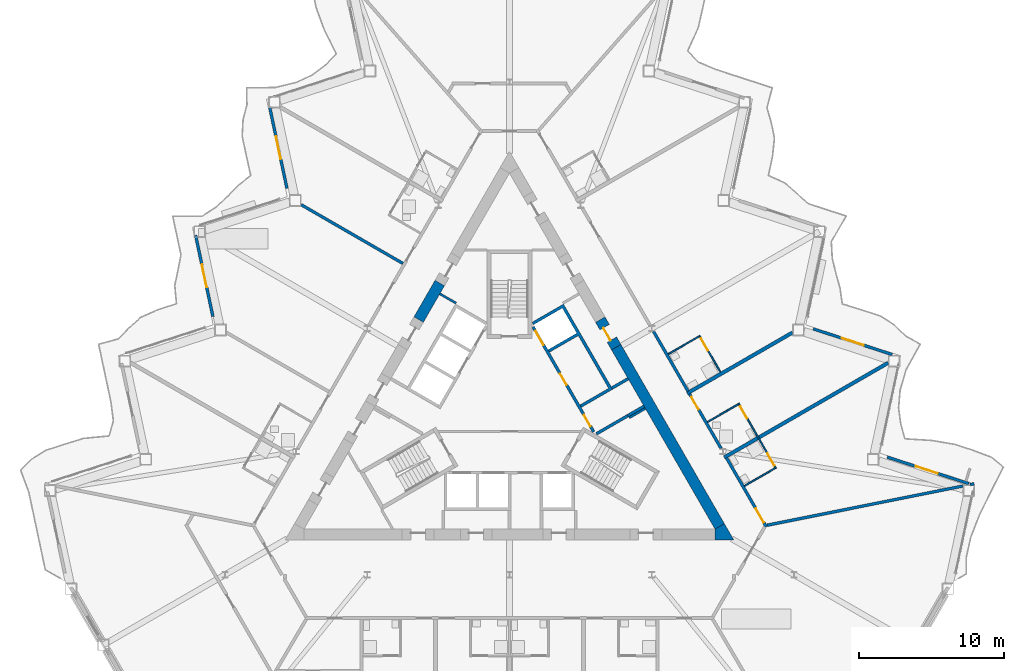
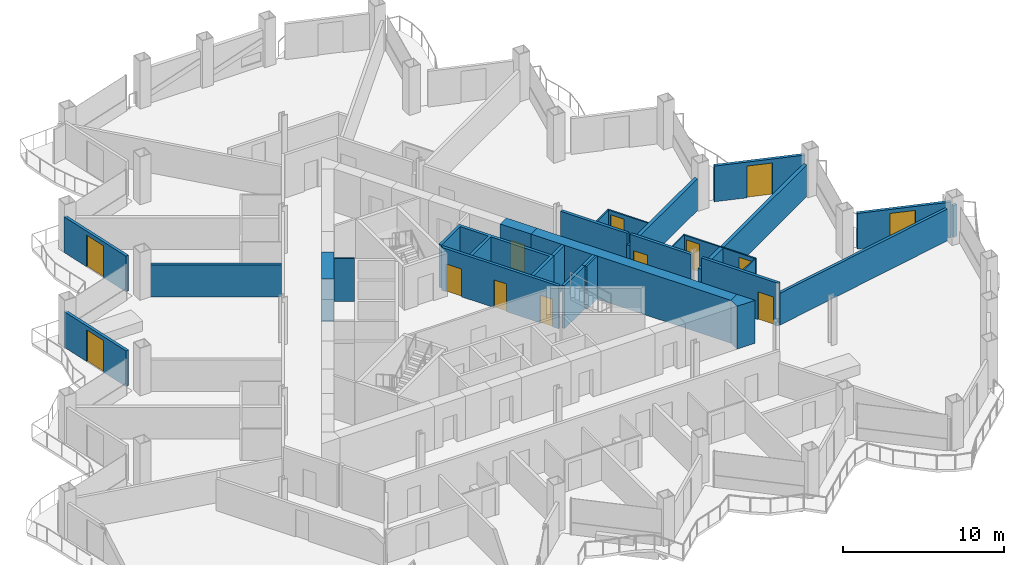
# One storey, part 13 of 23: 28 walls, 13 doors, 13 openings.
"""IFC4 building model written with IfcOpenShell, lengths in metres."""

from ifc_helpers import new_model, si_unit, direction, frame, frame_2d, origin, place, context, subcontext, project, spatial, polyline, rectangle, outline, extrude, material, layer, layer_set, type_object, element, fill, save


model = new_model("IFC4")

# Units and contexts
model_context = context("Model", 3, precision=1e-05, world=origin(), true_north=direction((0.0, 1.0)))
body_context = subcontext(model_context, "Body", "Model", "MODEL_VIEW")
ifc_project = project(units=[si_unit("LENGTHUNIT", "METRE"), si_unit("AREAUNIT", "SQUARE_METRE"), si_unit("VOLUMEUNIT", "CUBIC_METRE"), si_unit("PLANEANGLEUNIT", "RADIAN"), si_unit("MASSUNIT", "GRAM", prefix="KILO")], contexts=[model_context])

# Site, building, storey
site_placement = place(None, origin())
site = spatial("IfcSite", under=ifc_project, at=site_placement, CompositionType="ELEMENT")
building_placement = place(site_placement, origin())
building = spatial("IfcBuilding", under=site, at=building_placement, Name="Cormorant Prow Tower", CompositionType="ELEMENT")
storey_placement = place(building_placement, frame((0.0, 0.0, 169.199951171875)))
storey = spatial("IfcBuildingStorey", under=building, at=storey_placement, Name="L35", CompositionType="ELEMENT", Elevation=169.199951171875)

# Walls
ifc_material_1 = material(Name="Gypsum board partition")
ifc_layer_1 = layer(ifc_material_1, 0.14990234375)
ifc_layer_set_1 = layer_set([ifc_layer_1], Name="Gypsum board partition")
wall_type_1 = type_object("IfcWallType", Name="Core partition 150", PredefinedType="PARTITIONING", material=ifc_layer_set_1)
for number, where, z_axis, x_axis, name in (
    (1, (8.268310546875, -0.509033203125, 0.0), (0.0, 0.0, 1.0), (0.866003189247, 0.500038474733, 0.0), "Service room partition"),
    (2, (-3.693359375, 7.4150390625, 0.0), (0.0, 0.0, 1.0), (-0.866003189247, 0.500038474733, 0.0), "Service room partition"),
):
    element("IfcWall", number, at=place(storey_placement, frame(where, z_axis=z_axis, x_axis=x_axis)), inside=storey, type_object=wall_type_1, Name=name, PredefinedType="PARTITIONING", context=body_context, shape_type="SweptSolid", body=[
        extrude(rectangle(XDim=1.29296875, YDim=0.14990234375, at=frame_2d((0.646484375, 0.0))), origin(), (0.0, 0.0, 1.0), 3.25),
    ])
ifc_material_2 = material(Name="Concrete 8000 psi", Category="concrete")
ifc_layer_2 = layer(ifc_material_2, 0.75)
ifc_layer_set_2 = layer_set([ifc_layer_2], Name="Concrete 8000 psi")
wall_type_2 = type_object("IfcWallType", Name="Core shear wall 750", PredefinedType="SHEAR", material=ifc_layer_set_2)
wall_1_placement = place(storey_placement, frame((14.525634765625, -8.011474609375, 0.0), z_axis=(0.0, 0.0, 1.0), x_axis=(-0.499994855372, 0.866028374016, 0.0)))
element("IfcWall", 3, at=wall_1_placement, inside=storey, type_object=wall_type_2, Name="Core wall", PredefinedType="SHEAR", context=body_context, shape_type="SweptSolid", body=[
    extrude(rectangle(XDim=14.301025390625, YDim=0.75, at=frame_2d((7.150390625, 0.0))), origin(), (0.0, 0.0, 1.0), 3.25),
])
wall_2_placement = place(storey_placement, frame((-4.8173828125, 8.803955078125, 0.0), z_axis=(0.0, 0.0, 1.0), x_axis=(-0.500029273391, -0.866008502124, 0.0)))
element("IfcWall", 4, at=wall_2_placement, inside=storey, type_object=wall_type_2, Name="Core wall", PredefinedType="SHEAR", context=body_context, shape_type="SweptSolid", body=[
    extrude(rectangle(XDim=2.915771484375, YDim=0.75, at=frame_2d((1.4580078125, 0.0))), origin(), (0.0, 0.0, 1.0), 3.25),
])
wall_3_placement = place(storey_placement, origin())
element("IfcWall", 5, at=wall_3_placement, inside=storey, type_object=wall_type_2, Name="Core wall corner", PredefinedType="SHEAR", context=body_context, shape_type="SweptSolid", body=[
    extrude(outline(polyline([(14.200927734375, -8.948974609375), (14.200927734375, -8.198974609375), (14.8505859375, -7.823974609375), (15.5, -8.948974609375), (14.200927734375, -8.948974609375)])), origin(), (0.0, 0.0, 1.0), 3.25),
])

# Wall, opening, door
wall_4_placement = place(storey_placement, frame((7.375244140625, 4.37353515625, 0.0), z_axis=(0.0, 0.0, 1.0), x_axis=(-0.499946605688, 0.86605622881, 0.0)))
wall_4 = element("IfcWall", 6, at=wall_4_placement, inside=storey, type_object=wall_type_2, Name="Core wall door panel", PredefinedType="SHEAR", context=body_context, shape_type="SweptSolid", body=[
    extrude(rectangle(XDim=2.199951171875, YDim=0.75, at=frame_2d((1.10009765625, 0.0))), origin(), (0.0, 0.0, 1.0), 3.25),
])
opening_1_placement = place(wall_4_placement, frame((0.60009765625, 0.0, 0.0)))
opening_1 = element("IfcOpeningElement", 7, at=opening_1_placement, cuts=wall_4, Name="Opening L35-C19", PredefinedType="OPENING", context=body_context, shape_type="SweptSolid", body=[
    extrude(rectangle(XDim=1.0, YDim=2.10009765625, at=frame_2d((0.5, 1.050048828125))), frame((0.0, 0.385009765625, 0.0), z_axis=(0.0, -1.0, 0.0), x_axis=(1.0, 0.0, 0.0)), (0.0, 0.0, 1.0), 0.77001953125),
])
ifc_material_3 = material(Name="Painted steel", Category="steel")
door_type_1 = type_object("IfcDoorType", Name="Service door 1000x2100", OperationType="NOTDEFINED", PredefinedType="DOOR", material=ifc_material_3)
door_1_placement = place(opening_1_placement, origin())
door_1 = element("IfcDoor", 8, at=door_1_placement, inside=storey, type_object=door_type_1, Name="Core door, Telecom room", OperationType="SINGLE_SWING_LEFT", OverallHeight=2.10009765625, OverallWidth=1.0, PredefinedType="DOOR", context=body_context, shape_type="SweptSolid", body=[
    extrude(rectangle(XDim=1.0, YDim=2.10009765625, at=frame_2d((0.5, 1.050048828125))), frame((0.0, 0.1298828125, 0.0), z_axis=(0.0, -1.0, 0.0), x_axis=(1.0, 0.0, 0.0)), (0.0, 0.0, 1.0), 0.050048828125),
])
fill(opening_1, door_1)

ifc_material_4 = material(Name="Gypsum board corridor wall")
ifc_layer_3 = layer(ifc_material_4, 0.199951171875)
ifc_layer_set_3 = layer_set([ifc_layer_3], Name="Gypsum board corridor wall")
wall_type_3 = type_object("IfcWallType", Name="Corridor wall 200", PredefinedType="PARTITIONING", material=ifc_layer_set_3)
wall_5_placement = place(storey_placement, frame((15.001708984375, -3.285888671875, 0.0), z_axis=(0.0, 0.0, 1.0), x_axis=(0.500007607708, -0.866021011428, 0.0)))
wall_5 = element("IfcWall", 9, at=wall_5_placement, inside=storey, type_object=wall_type_3, Name="Corridor wall", PredefinedType="PARTITIONING", context=body_context, shape_type="SweptSolid", body=[
    extrude(rectangle(XDim=5.484375, YDim=0.199951171875, at=frame_2d((2.7421875, 0.0))), origin(), (0.0, 0.0, 1.0), 3.25),
])
opening_2_placement = place(wall_5_placement, frame((4.0322265625, 0.0, 0.0)))
opening_2 = element("IfcOpeningElement", 10, at=opening_2_placement, cuts=wall_5, Name="Opening L35-F14", PredefinedType="OPENING", context=body_context, shape_type="SweptSolid", body=[
    extrude(rectangle(XDim=1.10009765625, YDim=2.10009765625, at=frame_2d((0.550048828125, 1.050048828125))), frame((0.0, 0.10986328125, 0.0), z_axis=(0.0, -1.0, 0.0), x_axis=(1.0, 0.0, 0.0)), (0.0, 0.0, 1.0), 0.219970703125),
])
ifc_material_5 = material(Name="Timber door leaf", Category="wood")
door_type_2 = type_object("IfcDoorType", Name="Suite entrance door 1100x2100", OperationType="NOTDEFINED", PredefinedType="DOOR", material=ifc_material_5)
door_2_placement = place(opening_2_placement, origin())
door_2 = element("IfcDoor", 11, at=door_2_placement, inside=storey, type_object=door_type_2, Name="Junior suite door", OperationType="SINGLE_SWING_RIGHT", OverallHeight=2.10009765625, OverallWidth=1.10009765625, PredefinedType="DOOR", context=body_context, shape_type="SweptSolid", body=[
    extrude(rectangle(XDim=1.10009765625, YDim=2.10009765625, at=frame_2d((0.550048828125, 1.050048828125))), frame((0.0, 0.02490234375, 0.0), z_axis=(0.0, -1.0, 0.0), x_axis=(1.0, 0.0, 0.0)), (0.0, 0.0, 1.0), 0.050048828125),
])
fill(opening_2, door_2)

# Wall
wall_6_placement = place(storey_placement, frame((9.951904296875, 5.460693359375, 0.0), z_axis=(0.0, 0.0, 1.0), x_axis=(0.499990736708, -0.866030751883, 0.0)))
element("IfcWall", 12, at=wall_6_placement, inside=storey, type_object=wall_type_3, Name="Corridor wall", PredefinedType="PARTITIONING", context=body_context, shape_type="SweptSolid", body=[
    extrude(rectangle(XDim=4.77880859375, YDim=0.199951171875, at=frame_2d((2.389404296875, 0.0))), origin(), (0.0, 0.0, 1.0), 3.25),
])

# Wall, opening, door
wall_7_placement = place(storey_placement, frame((12.44384765625, 1.14453125, 0.0), z_axis=(0.0, 0.0, 1.0), x_axis=(0.500007404367, -0.866021128829, 0.0)))
wall_7 = element("IfcWall", 13, at=wall_7_placement, inside=storey, type_object=wall_type_3, Name="Corridor wall", PredefinedType="PARTITIONING", context=body_context, shape_type="SweptSolid", body=[
    extrude(rectangle(XDim=4.35107421875, YDim=0.199951171875, at=frame_2d((2.175537109375, 0.0))), origin(), (0.0, 0.0, 1.0), 3.25),
])
opening_3_placement = place(wall_7_placement, frame((0.25, 0.0, 0.0)))
opening_3 = element("IfcOpeningElement", 14, at=opening_3_placement, cuts=wall_7, Name="Opening L35-F16", PredefinedType="OPENING", context=body_context, shape_type="SweptSolid", body=[
    extrude(rectangle(XDim=1.0, YDim=2.10009765625, at=frame_2d((0.5, 1.050048828125))), frame((0.0, 0.10986328125, 0.0), z_axis=(0.0, -1.0, 0.0), x_axis=(1.0, 0.0, 0.0)), (0.0, 0.0, 1.0), 0.219970703125),
])
ifc_material_6 = material(Name="Timber door leaf", Category="wood")
door_type_3 = type_object("IfcDoorType", Name="Flat or room entrance door 1000x2100", OperationType="NOTDEFINED", PredefinedType="DOOR", material=ifc_material_6)
door_3_placement = place(opening_3_placement, origin())
door_3 = element("IfcDoor", 15, at=door_3_placement, inside=storey, type_object=door_type_3, Name="Guest room door", OperationType="SINGLE_SWING_LEFT", OverallHeight=2.10009765625, OverallWidth=1.0, PredefinedType="DOOR", context=body_context, shape_type="SweptSolid", body=[
    extrude(rectangle(XDim=1.0, YDim=2.10009765625, at=frame_2d((0.5, 1.050048828125))), frame((0.0, 0.02490234375, 0.0), z_axis=(0.0, -1.0, 0.0), x_axis=(1.0, 0.0, 0.0)), (0.0, 0.0, 1.0), 0.050048828125),
])
fill(opening_3, door_3)

# Walls
ifc_material_7 = material(Name="Gypsum board demising wall")
ifc_layer_4 = layer(ifc_material_7, 0.199951171875)
ifc_layer_set_4 = layer_set([ifc_layer_4], Name="Gypsum board demising wall")
wall_type_4 = type_object("IfcWallType", Name="Demising wall 200", PredefinedType="PARTITIONING", material=ifc_layer_set_4)
wall_8_placement = place(storey_placement, frame((17.7919921875, -7.92919921875, 0.0), z_axis=(0.0, 0.0, 1.0), x_axis=(0.980565709097, 0.196190953266, 0.0)))
element("IfcWall", 16, at=wall_8_placement, inside=storey, type_object=wall_type_4, Name="Demising wall", PredefinedType="PARTITIONING", context=body_context, shape_type="SweptSolid", body=[
    extrude(rectangle(XDim=13.805419921875, YDim=0.199951171875, at=frame_2d((6.90283203125, 0.0))), origin(), (0.0, 0.0, 1.0), 2.404296875),
])
wall_9_placement = place(storey_placement, frame((-14.389892578125, 14.215087890625, 0.0), z_axis=(0.0, 0.0, 1.0), x_axis=(0.86602738064, -0.499996575971, 0.0)))
element("IfcWall", 17, at=wall_9_placement, inside=storey, type_object=wall_type_4, Name="Demising wall", PredefinedType="PARTITIONING", context=body_context, shape_type="SweptSolid", body=[
    extrude(rectangle(XDim=8.12060546875, YDim=0.199951171875, at=frame_2d((4.060302734375, 0.0))), origin(), (0.0, 0.0, 1.0), 2.404296875),
])
wall_10_placement = place(storey_placement, frame((31.830810546875, -5.120361328125, 0.0), z_axis=(0.0, 0.0, 1.0), x_axis=(0.980512850695, 0.19645495571, 0.0)))
element("IfcWall", 18, at=wall_10_placement, inside=storey, type_object=wall_type_4, Name="Demising wall", PredefinedType="PARTITIONING", context=body_context, shape_type="SweptSolid", body=[
    extrude(rectangle(XDim=0.277099609375, YDim=0.199951171875, at=frame_2d((0.138671875, 0.0))), origin(), (0.0, 0.0, 1.0), 2.404296875),
])

# Wall, openings, doors
ifc_material_8 = material(Name="Gypsum board partition")
ifc_layer_5 = layer(ifc_material_8, 0.10009765625)
ifc_layer_set_5 = layer_set([ifc_layer_5], Name="Gypsum board partition")
wall_type_5 = type_object("IfcWallType", Name="Internal partition 100", PredefinedType="PARTITIONING", material=ifc_layer_set_5)
wall_11_placement = place(storey_placement, frame((15.82080078125, 0.495361328125, 0.0), z_axis=(0.0, 0.0, 1.0), x_axis=(0.500006934395, -0.866021400173, 0.0)))
wall_11 = element("IfcWall", 19, at=wall_11_placement, inside=storey, type_object=wall_type_5, Name="Internal partition", PredefinedType="PARTITIONING", context=body_context, shape_type="SweptSolid", body=[
    extrude(rectangle(XDim=5.2001953125, YDim=0.10009765625, at=frame_2d((2.60009765625, 0.0))), origin(), (0.0, 0.0, 1.0), 2.404296875),
])
opening_4_placement = place(wall_11_placement, frame((4.0, 0.0, 0.0)))
opening_4 = element("IfcOpeningElement", 20, at=opening_4_placement, cuts=wall_11, Name="Opening L35-F15", PredefinedType="OPENING", context=body_context, shape_type="SweptSolid", body=[
    extrude(rectangle(XDim=0.949951171875, YDim=2.10009765625, at=frame_2d((0.47509765625, 1.050048828125))), frame((0.0, 0.06005859375, 0.0), z_axis=(0.0, -1.0, 0.0), x_axis=(1.0, 0.0, 0.0)), (0.0, 0.0, 1.0), 0.1201171875),
])
opening_5_placement = place(wall_11_placement, frame((0.25, 0.0, 0.0)))
opening_5 = element("IfcOpeningElement", 21, at=opening_5_placement, cuts=wall_11, Name="Opening L35-F17", PredefinedType="OPENING", context=body_context, shape_type="SweptSolid", body=[
    extrude(rectangle(XDim=0.949951171875, YDim=2.10009765625, at=frame_2d((0.47509765625, 1.050048828125))), frame((0.0, 0.06005859375, 0.0), z_axis=(0.0, -1.0, 0.0), x_axis=(1.0, 0.0, 0.0)), (0.0, 0.0, 1.0), 0.1201171875),
])
ifc_material_9 = material(Name="Timber door leaf", Category="wood")
door_type_4 = type_object("IfcDoorType", Name="Bathroom door 950x2100", OperationType="NOTDEFINED", PredefinedType="DOOR", material=ifc_material_9)
door_4_placement = place(opening_4_placement, origin())
door_4 = element("IfcDoor", 22, at=door_4_placement, inside=storey, type_object=door_type_4, Name="Junior suite door", OperationType="SINGLE_SWING_RIGHT", OverallHeight=2.10009765625, OverallWidth=0.949951171875, PredefinedType="DOOR", context=body_context, shape_type="SweptSolid", body=[
    extrude(rectangle(XDim=0.949951171875, YDim=2.10009765625, at=frame_2d((0.47509765625, 1.050048828125))), frame((0.0, 0.02490234375, 0.0), z_axis=(0.0, -1.0, 0.0), x_axis=(1.0, 0.0, 0.0)), (0.0, 0.0, 1.0), 0.050048828125),
])
fill(opening_4, door_4)
door_5_placement = place(opening_5_placement, origin())
door_5 = element("IfcDoor", 23, at=door_5_placement, inside=storey, type_object=door_type_4, Name="Guest room door", OperationType="SINGLE_SWING_LEFT", OverallHeight=2.10009765625, OverallWidth=0.949951171875, PredefinedType="DOOR", context=body_context, shape_type="SweptSolid", body=[
    extrude(rectangle(XDim=0.949951171875, YDim=2.10009765625, at=frame_2d((0.47509765625, 1.050048828125))), frame((0.0, 0.02490234375, 0.0), z_axis=(0.0, -1.0, 0.0), x_axis=(1.0, 0.0, 0.0)), (0.0, 0.0, 1.0), 0.050048828125),
])
fill(opening_5, door_5)

# Wall, opening, door
wall_12_placement = place(storey_placement, frame((13.113037109375, 5.185546875, 0.0), z_axis=(0.0, 0.0, 1.0), x_axis=(0.499963291492, -0.866046596414, 0.0)))
wall_12 = element("IfcWall", 24, at=wall_12_placement, inside=storey, type_object=wall_type_5, Name="Internal partition", PredefinedType="PARTITIONING", context=body_context, shape_type="SweptSolid", body=[
    extrude(rectangle(XDim=2.925048828125, YDim=0.10009765625, at=frame_2d((1.46240234375, 0.0))), origin(), (0.0, 0.0, 1.0), 2.404296875),
])
opening_6_placement = place(wall_12_placement, frame((0.25, 0.0, 0.0)))
opening_6 = element("IfcOpeningElement", 25, at=opening_6_placement, cuts=wall_12, Name="Opening L35-F19", PredefinedType="OPENING", context=body_context, shape_type="SweptSolid", body=[
    extrude(rectangle(XDim=0.949951171875, YDim=2.10009765625, at=frame_2d((0.47509765625, 1.050048828125))), frame((0.0, 0.06005859375, 0.0), z_axis=(0.0, -1.0, 0.0), x_axis=(1.0, 0.0, 0.0)), (0.0, 0.0, 1.0), 0.1201171875),
])
door_6_placement = place(opening_6_placement, origin())
door_6 = element("IfcDoor", 26, at=door_6_placement, inside=storey, type_object=door_type_4, Name="Executive suite bedroom door", OperationType="SINGLE_SWING_LEFT", OverallHeight=2.10009765625, OverallWidth=0.949951171875, PredefinedType="DOOR", context=body_context, shape_type="SweptSolid", body=[
    extrude(rectangle(XDim=0.949951171875, YDim=2.10009765625, at=frame_2d((0.47509765625, 1.050048828125))), frame((0.0, 0.02490234375, 0.0), z_axis=(0.0, -1.0, 0.0), x_axis=(1.0, 0.0, 0.0)), (0.0, 0.0, 1.0), 0.050048828125),
])
fill(opening_6, door_6)

# Walls
wall_13_placement = place(storey_placement, frame((16.230712890625, -5.214599609375, 0.0), z_axis=(0.0, 0.0, 1.0), x_axis=(0.866057815567, 0.499943856944, 0.0)))
element("IfcWall", 27, at=wall_13_placement, inside=storey, type_object=wall_type_5, Name="Internal partition", PredefinedType="PARTITIONING", context=body_context, shape_type="SweptSolid", body=[
    extrude(rectangle(XDim=2.449951171875, YDim=0.10009765625, at=frame_2d((1.22509765625, 0.0))), origin(), (0.0, 0.0, 1.0), 2.404296875),
])
wall_14_placement = place(storey_placement, frame((13.680908203125, -0.7978515625, 0.0), z_axis=(0.0, 0.0, 1.0), x_axis=(0.866032905446, 0.499987006516, 0.0)))
element("IfcWall", 28, at=wall_14_placement, inside=storey, type_object=wall_type_5, Name="Internal partition", PredefinedType="PARTITIONING", context=body_context, shape_type="SweptSolid", body=[
    extrude(rectangle(XDim=2.44970703125, YDim=0.10009765625, at=frame_2d((1.224853515625, 0.0))), origin(), (0.0, 0.0, 1.0), 2.404296875),
])
wall_15_placement = place(storey_placement, frame((10.972900390625, 3.89208984375, 0.0), z_axis=(0.0, 0.0, 1.0), x_axis=(0.866014668023, 0.500018594424, 0.0)))
element("IfcWall", 29, at=wall_15_placement, inside=storey, type_object=wall_type_5, Name="Internal partition", PredefinedType="PARTITIONING", context=body_context, shape_type="SweptSolid", body=[
    extrude(rectangle(XDim=2.4501953125, YDim=0.10009765625, at=frame_2d((1.22509765625, 0.0))), origin(), (0.0, 0.0, 1.0), 2.404296875),
])

# Wall, openings, doors
ifc_material_10 = material(Name="Concrete 5000 psi", Category="concrete")
ifc_layer_6 = layer(ifc_material_10, 0.199951171875)
ifc_layer_set_6 = layer_set([ifc_layer_6], Name="Concrete 5000 psi")
wall_type_6 = type_object("IfcWallType", Name="Lift lobby wall 200", PredefinedType="SOLIDWALL", material=ifc_layer_set_6)
wall_16_placement = place(storey_placement, frame((5.817138671875, -1.4755859375, 0.0), z_axis=(0.0, 0.0, 1.0), x_axis=(-0.500002616675, 0.866023893041, 0.0)))
wall_16 = element("IfcWall", 30, at=wall_16_placement, inside=storey, type_object=wall_type_6, Name="Lift lobby wall, ENE block", PredefinedType="SOLIDWALL", context=body_context, shape_type="SweptSolid", body=[
    extrude(rectangle(XDim=8.373046875, YDim=0.199951171875, at=frame_2d((4.1865234375, 0.0))), origin(), (0.0, 0.0, 1.0), 3.25),
])
opening_7_placement = place(wall_16_placement, frame((0.4365234375, 0.0, 0.0)))
opening_7 = element("IfcOpeningElement", 31, at=opening_7_placement, cuts=wall_16, Name="Opening L35-C05", PredefinedType="OPENING", context=body_context, shape_type="SweptSolid", body=[
    extrude(rectangle(XDim=0.89990234375, YDim=2.10009765625, at=frame_2d((0.449951171875, 1.050048828125))), frame((0.0, 0.10986328125, 0.0), z_axis=(0.0, -1.0, 0.0), x_axis=(1.0, 0.0, 0.0)), (0.0, 0.0, 1.0), 0.219970703125),
])
opening_8_placement = place(wall_16_placement, frame((3.736572265625, 0.0, 0.0)))
opening_8 = element("IfcOpeningElement", 32, at=opening_8_placement, cuts=wall_16, Name="Opening L35-C06", PredefinedType="OPENING", context=body_context, shape_type="SweptSolid", body=[
    extrude(rectangle(XDim=0.89990234375, YDim=2.10009765625, at=frame_2d((0.449951171875, 1.050048828125))), frame((0.0, 0.10986328125, 0.0), z_axis=(0.0, -1.0, 0.0), x_axis=(1.0, 0.0, 0.0)), (0.0, 0.0, 1.0), 0.219970703125),
])
opening_9_placement = place(wall_16_placement, frame((6.9365234375, 0.0, 0.0)))
opening_9 = element("IfcOpeningElement", 33, at=opening_9_placement, cuts=wall_16, Name="Opening L35-C07", PredefinedType="OPENING", context=body_context, shape_type="SweptSolid", body=[
    extrude(rectangle(XDim=1.10009765625, YDim=2.10009765625, at=frame_2d((0.550048828125, 1.050048828125))), frame((0.0, 0.10986328125, 0.0), z_axis=(0.0, -1.0, 0.0), x_axis=(1.0, 0.0, 0.0)), (0.0, 0.0, 1.0), 0.219970703125),
])
ifc_material_11 = material(Name="Painted steel", Category="steel")
door_type_5 = type_object("IfcDoorType", Name="Lift landing door 1100x2100", OperationType="SLIDING_TO_LEFT", PredefinedType="DOOR", material=ifc_material_11)
door_7_placement = place(opening_9_placement, origin())
door_7 = element("IfcDoor", 34, at=door_7_placement, inside=storey, type_object=door_type_5, Name="Landing door MR1", OperationType="SLIDING_TO_LEFT", OverallHeight=2.10009765625, OverallWidth=1.10009765625, PredefinedType="DOOR", context=body_context, shape_type="SweptSolid", body=[
    extrude(rectangle(XDim=1.10009765625, YDim=2.10009765625, at=frame_2d((0.550048828125, 1.050048828125))), frame((0.0, 0.02490234375, 0.0), z_axis=(0.0, -1.0, 0.0), x_axis=(1.0, 0.0, 0.0)), (0.0, 0.0, 1.0), 0.050048828125),
])
fill(opening_9, door_7)
ifc_material_12 = material(Name="Painted steel", Category="steel")
door_type_6 = type_object("IfcDoorType", Name="Service door 900x2100", OperationType="NOTDEFINED", PredefinedType="DOOR", material=ifc_material_12)
door_8_placement = place(opening_7_placement, origin())
door_8 = element("IfcDoor", 35, at=door_8_placement, inside=storey, type_object=door_type_6, Name="Service door, Linen store", OperationType="SINGLE_SWING_LEFT", OverallHeight=2.10009765625, OverallWidth=0.89990234375, PredefinedType="DOOR", context=body_context, shape_type="SweptSolid", body=[
    extrude(rectangle(XDim=0.89990234375, YDim=2.10009765625, at=frame_2d((0.449951171875, 1.050048828125))), frame((0.0, 0.02490234375, 0.0), z_axis=(0.0, -1.0, 0.0), x_axis=(1.0, 0.0, 0.0)), (0.0, 0.0, 1.0), 0.050048828125),
])
fill(opening_7, door_8)
door_9_placement = place(opening_8_placement, origin())
door_9 = element("IfcDoor", 36, at=door_9_placement, inside=storey, type_object=door_type_6, Name="Service door, Refuse store", OperationType="SINGLE_SWING_RIGHT", OverallHeight=2.10009765625, OverallWidth=0.89990234375, PredefinedType="DOOR", context=body_context, shape_type="SweptSolid", body=[
    extrude(rectangle(XDim=0.89990234375, YDim=2.10009765625, at=frame_2d((0.449951171875, 1.050048828125))), frame((0.0, 0.02490234375, 0.0), z_axis=(0.0, -1.0, 0.0), x_axis=(1.0, 0.0, 0.0)), (0.0, 0.0, 1.0), 0.050048828125),
])
fill(opening_8, door_9)

# Walls
ifc_material_13 = material(Name="Concrete 8000 psi", Category="concrete")
ifc_layer_7 = layer(ifc_material_13, 0.199951171875)
ifc_layer_set_7 = layer_set([ifc_layer_7], Name="Concrete 8000 psi")
wall_type_7 = type_object("IfcWallType", Name="Lift shaft wall 200", PredefinedType="SHEAR", material=ifc_layer_set_7)
wall_17_placement = place(storey_placement, origin())
element("IfcWall", 37, at=wall_17_placement, inside=storey, type_object=wall_type_7, Name="Lift shaft walls, ENE block", PredefinedType="SHEAR", context=body_context, shape_type="SweptSolid", body=[
    extrude(outline(polyline([(1.560546875, 6.09716796875), (3.730712890625, 7.35009765625), (7.130859375, 1.461181640625), (4.96044921875, 0.2080078125), (4.860595703125, 0.38134765625), (6.852294921875, 1.53125), (4.75244140625, 5.168701171875), (2.760498046875, 4.018798828125), (2.660400390625, 4.19189453125), (4.65234375, 5.341796875), (3.65234375, 7.073974609375), (1.660400390625, 5.923828125), (1.560546875, 6.09716796875)])), origin(), (0.0, 0.0, 1.0), 3.25),
])
wall_18_placement = place(storey_placement, origin())
element("IfcWall", 38, at=wall_18_placement, inside=storey, type_object=wall_type_7, Name="Lift shaft walls, ENE block", PredefinedType="SHEAR", context=body_context, shape_type="SweptSolid", body=[
    extrude(outline(polyline([(8.230712890625, -0.444091796875), (6.060546875, -1.697021484375), (5.96044921875, -1.52392578125), (8.130859375, -0.27099609375), (8.230712890625, -0.444091796875)])), origin(), (0.0, 0.0, 1.0), 3.25),
])
for number, where, z_axis, x_axis, name in (
    (39, (8.180908203125, -0.357421875, 0.0), (0.0, 0.0, 1.0), (0.866003189247, 0.500038474733, 0.0), "Store side wall"),
    (40, (7.080810546875, 1.547607421875, 0.0), (0.0, 0.0, 1.0), (0.866003189247, 0.500038474733, 0.0), "Store side wall"),
):
    element("IfcWall", number, at=place(storey_placement, frame(where, z_axis=z_axis, x_axis=x_axis)), inside=storey, type_object=wall_type_7, Name=name, PredefinedType="SHEAR", context=body_context, shape_type="SweptSolid", body=[
        extrude(rectangle(XDim=1.29296875, YDim=0.199951171875, at=frame_2d((0.646484375, 0.0))), origin(), (0.0, 0.0, 1.0), 3.25),
    ])
ifc_material_14 = material(Name="Acoustic gypsum party wall")
ifc_layer_8 = layer(ifc_material_14, 0.25)
ifc_layer_set_8 = layer_set([ifc_layer_8], Name="Acoustic gypsum party wall")
wall_type_8 = type_object("IfcWallType", Name="Suite party wall 250", PredefinedType="PARTITIONING", material=ifc_layer_set_8)
wall_19_placement = place(storey_placement, frame((14.8359375, -3.248779296875, 0.0), z_axis=(0.0, 0.0, 1.0), x_axis=(0.866022412254, 0.500005181446, 0.0)))
element("IfcWall", 41, at=wall_19_placement, inside=storey, type_object=wall_type_8, Name="Suite party wall", PredefinedType="PARTITIONING", context=body_context, shape_type="SweptSolid", body=[
    extrude(rectangle(XDim=13.080810546875, YDim=0.25, at=frame_2d((6.54052734375, 0.0))), origin(), (0.0, 0.0, 1.0), 2.404296875),
])
wall_20_placement = place(storey_placement, frame((12.278076171875, 1.181640625, 0.0), z_axis=(0.0, 0.0, 1.0), x_axis=(0.866024457297, 0.500001639361, 0.0)))
element("IfcWall", 42, at=wall_20_placement, inside=storey, type_object=wall_type_8, Name="Suite party wall", PredefinedType="PARTITIONING", context=body_context, shape_type="SweptSolid", body=[
    extrude(rectangle(XDim=8.40234375, YDim=0.25, at=frame_2d((4.201171875, 0.0))), origin(), (0.0, 0.0, 1.0), 2.404296875),
])

# Wall, opening, door
ifc_material_15 = material(Name="Terracotta", Category="masonry")
ifc_layer_9 = layer(ifc_material_15, 0.199951171875)
ifc_layer_set_9 = layer_set([ifc_layer_9], Name="Terracotta")
wall_type_9 = type_object("IfcWallType", Name="Terracotta jamb wall 200", PredefinedType="SOLIDWALL", material=ifc_layer_set_9)
wall_21_placement = place(storey_placement, frame((31.742919921875, -5.05419921875, 0.0), z_axis=(0.0, 0.0, 1.0), x_axis=(-0.951061260164, 0.309002393867, 0.0)))
wall_21 = element("IfcWall", 43, at=wall_21_placement, inside=storey, type_object=wall_type_9, Name="Terracotta jamb wall ENE01", PredefinedType="SOLIDWALL", context=body_context, shape_type="SweptSolid", body=[
    extrude(rectangle(XDim=5.9375, YDim=0.199951171875, at=frame_2d((2.96875, 0.0))), origin(), (0.0, 0.0, 1.0), 2.700927734375),
])
opening_10_placement = place(wall_21_placement, frame((2.263671875, 0.0, 0.0)))
opening_10 = element("IfcOpeningElement", 44, at=opening_10_placement, cuts=wall_21, Name="Opening ED35.06", PredefinedType="OPENING", context=body_context, shape_type="SweptSolid", body=[
    extrude(rectangle(XDim=1.60009765625, YDim=2.39990234375, at=frame_2d((0.800048828125, 1.199951171875))), frame((0.0, 0.10986328125, 0.0), z_axis=(0.0, -1.0, 0.0), x_axis=(1.0, 0.0, 0.0)), (0.0, 0.0, 1.0), 0.219970703125),
])
ifc_material_16 = material(Name="Aluminium 6063-T6", Category="aluminium")
door_type_7 = type_object("IfcDoorType", Name="Balcony door 1600x2400", OperationType="DOUBLE_DOOR_SINGLE_SWING", PredefinedType="DOOR", material=ifc_material_16)
door_10_placement = place(opening_10_placement, origin())
door_10 = element("IfcDoor", 45, at=door_10_placement, inside=storey, type_object=door_type_7, Name="Balcony door ENE01 ED35.06", OperationType="DOUBLE_DOOR_SINGLE_SWING", OverallHeight=2.39990234375, OverallWidth=1.60009765625, PredefinedType="DOOR", context=body_context, shape_type="SweptSolid", body=[
    extrude(rectangle(XDim=1.60009765625, YDim=2.39990234375, at=frame_2d((0.800048828125, 1.199951171875))), frame((0.0, 0.02490234375, 0.0), z_axis=(0.0, -1.0, 0.0), x_axis=(1.0, 0.0, 0.0)), (0.0, 0.0, 1.0), 0.050048828125),
])
fill(opening_10, door_10)

wall_22_placement = place(storey_placement, frame((26.44677734375, 3.864990234375, 0.0), z_axis=(0.0, 0.0, 1.0), x_axis=(-0.951043432761, 0.309057258453, 0.0)))
wall_22 = element("IfcWall", 46, at=wall_22_placement, inside=storey, type_object=wall_type_9, Name="Terracotta jamb wall ENE03", PredefinedType="SOLIDWALL", context=body_context, shape_type="SweptSolid", body=[
    extrude(rectangle(XDim=5.747802734375, YDim=0.199951171875, at=frame_2d((2.8740234375, 0.0))), origin(), (0.0, 0.0, 1.0), 2.700927734375),
])
opening_11_placement = place(wall_22_placement, frame((2.073974609375, 0.0, 0.0)))
opening_11 = element("IfcOpeningElement", 47, at=opening_11_placement, cuts=wall_22, Name="Opening ED35.07", PredefinedType="OPENING", context=body_context, shape_type="SweptSolid", body=[
    extrude(rectangle(XDim=1.60009765625, YDim=2.39990234375, at=frame_2d((0.800048828125, 1.199951171875))), frame((0.0, 0.10986328125, 0.0), z_axis=(0.0, -1.0, 0.0), x_axis=(1.0, 0.0, 0.0)), (0.0, 0.0, 1.0), 0.219970703125),
])
door_11_placement = place(opening_11_placement, origin())
door_11 = element("IfcDoor", 48, at=door_11_placement, inside=storey, type_object=door_type_7, Name="Balcony door ENE03 ED35.07", OperationType="DOUBLE_DOOR_SINGLE_SWING", OverallHeight=2.39990234375, OverallWidth=1.60009765625, PredefinedType="DOOR", context=body_context, shape_type="SweptSolid", body=[
    extrude(rectangle(XDim=1.60009765625, YDim=2.39990234375, at=frame_2d((0.800048828125, 1.199951171875))), frame((0.0, 0.02490234375, 0.0), z_axis=(0.0, -1.0, 0.0), x_axis=(1.0, 0.0, 0.0)), (0.0, 0.0, 1.0), 0.050048828125),
])
fill(opening_11, door_11)

wall_23_placement = place(storey_placement, frame((-16.570556640625, 20.97119140625, 0.0), z_axis=(0.0, 0.0, 1.0), x_axis=(0.207872471739, -0.978155936184, 0.0)))
wall_23 = element("IfcWall", 49, at=wall_23_placement, inside=storey, type_object=wall_type_9, Name="Terracotta jamb wall WNW03", PredefinedType="SOLIDWALL", context=body_context, shape_type="SweptSolid", body=[
    extrude(rectangle(XDim=5.747802734375, YDim=0.199951171875, at=frame_2d((2.8740234375, 0.0))), origin(), (0.0, 0.0, 1.0), 2.700927734375),
])
opening_12_placement = place(wall_23_placement, frame((2.073974609375, 0.0, 0.0)))
opening_12 = element("IfcOpeningElement", 50, at=opening_12_placement, cuts=wall_23, Name="Opening ED35.12", PredefinedType="OPENING", context=body_context, shape_type="SweptSolid", body=[
    extrude(rectangle(XDim=1.60009765625, YDim=2.39990234375, at=frame_2d((0.800048828125, 1.199951171875))), frame((0.0, 0.10986328125, 0.0), z_axis=(0.0, -1.0, 0.0), x_axis=(1.0, 0.0, 0.0)), (0.0, 0.0, 1.0), 0.219970703125),
])
door_12_placement = place(opening_12_placement, origin())
door_12 = element("IfcDoor", 51, at=door_12_placement, inside=storey, type_object=door_type_7, Name="Balcony door WNW03 ED35.12", OperationType="DOUBLE_DOOR_SINGLE_SWING", OverallHeight=2.39990234375, OverallWidth=1.60009765625, PredefinedType="DOOR", context=body_context, shape_type="SweptSolid", body=[
    extrude(rectangle(XDim=1.60009765625, YDim=2.39990234375, at=frame_2d((0.800048828125, 1.199951171875))), frame((0.0, 0.02490234375, 0.0), z_axis=(0.0, -1.0, 0.0), x_axis=(1.0, 0.0, 0.0)), (0.0, 0.0, 1.0), 0.050048828125),
])
fill(opening_12, door_12)

wall_24_placement = place(storey_placement, frame((-21.686279296875, 12.110595703125, 0.0), z_axis=(0.0, 0.0, 1.0), x_axis=(0.207872471739, -0.978155936184, 0.0)))
wall_24 = element("IfcWall", 52, at=wall_24_placement, inside=storey, type_object=wall_type_9, Name="Terracotta jamb wall WNW05", PredefinedType="SOLIDWALL", context=body_context, shape_type="SweptSolid", body=[
    extrude(rectangle(XDim=5.747802734375, YDim=0.199951171875, at=frame_2d((2.8740234375, 0.0))), origin(), (0.0, 0.0, 1.0), 2.700927734375),
])
opening_13_placement = place(wall_24_placement, frame((2.073974609375, 0.0, 0.0)))
opening_13 = element("IfcOpeningElement", 53, at=opening_13_placement, cuts=wall_24, Name="Opening ED35.13", PredefinedType="OPENING", context=body_context, shape_type="SweptSolid", body=[
    extrude(rectangle(XDim=1.60009765625, YDim=2.39990234375, at=frame_2d((0.800048828125, 1.199951171875))), frame((0.0, 0.10986328125, 0.0), z_axis=(0.0, -1.0, 0.0), x_axis=(1.0, 0.0, 0.0)), (0.0, 0.0, 1.0), 0.219970703125),
])
door_13_placement = place(opening_13_placement, origin())
door_13 = element("IfcDoor", 54, at=door_13_placement, inside=storey, type_object=door_type_7, Name="Balcony door WNW05 ED35.13", OperationType="DOUBLE_DOOR_SINGLE_SWING", OverallHeight=2.39990234375, OverallWidth=1.60009765625, PredefinedType="DOOR", context=body_context, shape_type="SweptSolid", body=[
    extrude(rectangle(XDim=1.60009765625, YDim=2.39990234375, at=frame_2d((0.800048828125, 1.199951171875))), frame((0.0, 0.02490234375, 0.0), z_axis=(0.0, -1.0, 0.0), x_axis=(1.0, 0.0, 0.0)), (0.0, 0.0, 1.0), 0.050048828125),
])
fill(opening_13, door_13)

save(model, "model.ifc")
